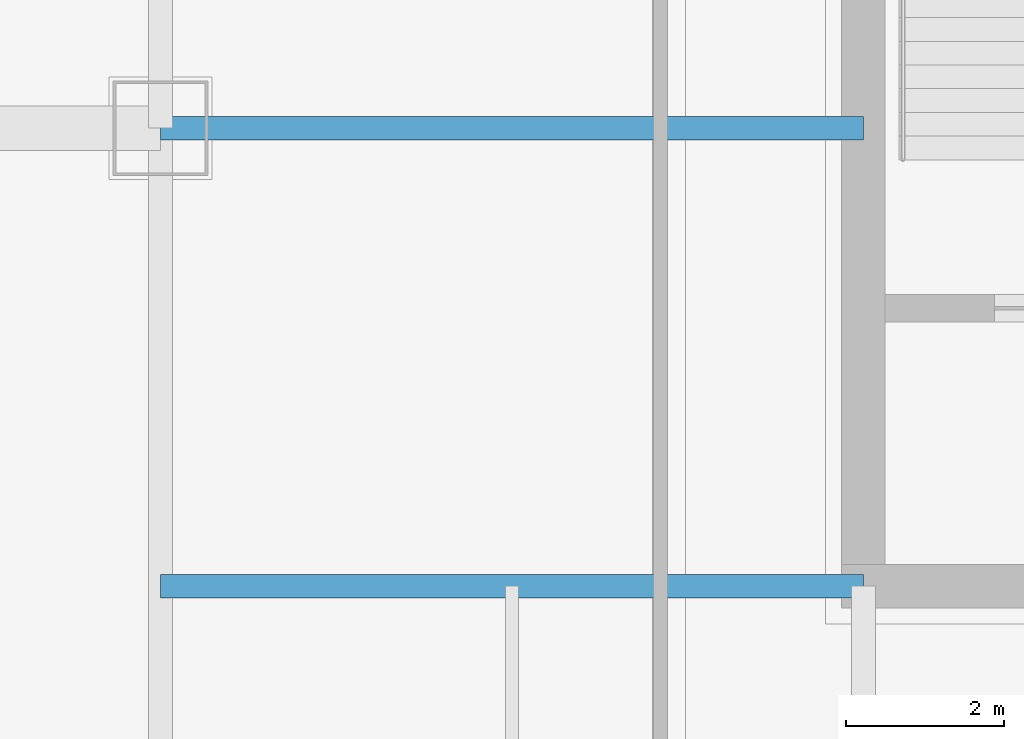
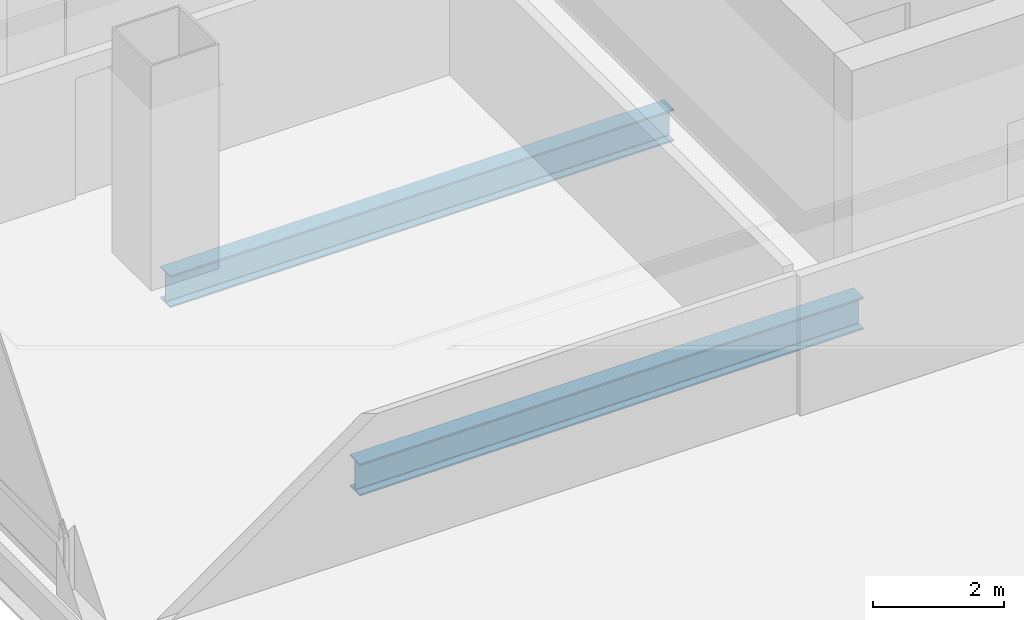
# One storey, part 5 of 51: 2 beams.
"""IFC4 building model written with IfcOpenShell, lengths in metres."""

from ifc_helpers import new_model, si_unit, direction, frame, origin, origin_2d, place, context, subcontext, project, spatial, i_section, extrude, material, material_profile, profile_set, type_object, element, save


model = new_model("IFC4")

# Units and contexts
model_context = context("Model", 3, precision=1e-05, world=origin(), true_north=direction((0.0, 1.0)))
body_context = subcontext(model_context, "Body", "Model", "MODEL_VIEW")
ifc_project = project(units=[si_unit("LENGTHUNIT", "METRE"), si_unit("AREAUNIT", "SQUARE_METRE"), si_unit("VOLUMEUNIT", "CUBIC_METRE"), si_unit("PLANEANGLEUNIT", "RADIAN"), si_unit("MASSUNIT", "GRAM", prefix="KILO")], contexts=[model_context])

# Site, building, storey
site_placement = place(None, origin())
site = spatial("IfcSite", under=ifc_project, at=site_placement, CompositionType="ELEMENT")
building_placement = place(site_placement, origin())
building = spatial("IfcBuilding", under=site, at=building_placement, Name="Punatoya Terracotta Tower", CompositionType="ELEMENT")
storey_placement = place(building_placement, frame((0.0, 0.0, 313.199951171875)))
storey = spatial("IfcBuildingStorey", under=building, at=storey_placement, Name="L74", CompositionType="ELEMENT", Elevation=313.199951171875)

# Beams
ifc_material = material(Name="Steel S355", Category="steel")
ifc_material_profile = material_profile(ifc_material, i_section(OverallWidth=0.300048828125, OverallDepth=0.60009765625, WebThickness=0.015380859375, FlangeThickness=0.030029296875, FilletRadius=0.01806640625, at=origin_2d()))
ifc_profile_set = profile_set([ifc_material_profile], Name="Steel S355")
beam_type = type_object("IfcBeamType", Name="BM-PRI-600", PredefinedType="BEAM", material=ifc_profile_set)
for number, where, z_axis, x_axis, name in (
    (1, (-19.10009765625, -9.199951171875, -0.5), (1.0, 0.0, 0.0), (0.0, 1.0, 0.0), "BM-L74-PR-WS"),
    (2, (-19.10009765625, -3.39990234375, -0.5), (1.0, 0.0, 0.0), (0.0, 1.0, 0.0), "BM-L74-PR-WD"),
):
    element("IfcBeam", number, at=place(storey_placement, frame(where, z_axis=z_axis, x_axis=x_axis)), inside=storey, type_object=beam_type, Name=name, PredefinedType="BEAM", context=body_context, shape_type="SweptSolid", body=[
        extrude(i_section(OverallWidth=0.300048828125, OverallDepth=0.60009765625, WebThickness=0.015380859375, FlangeThickness=0.030029296875, FilletRadius=0.01806640625, at=origin_2d()), origin(), (0.0, 0.0, 1.0), 8.900146484375),
    ])

save(model, "model.ifc")
